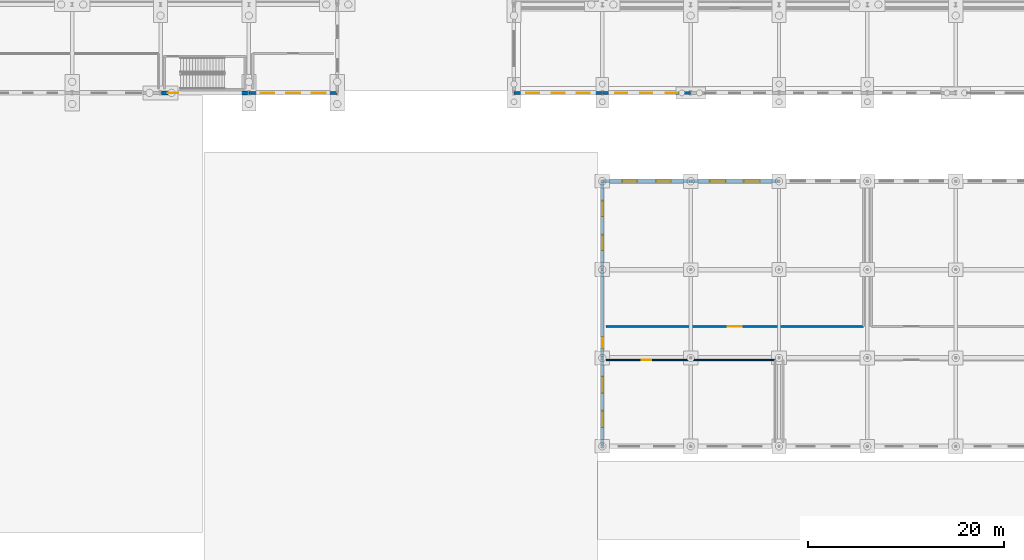
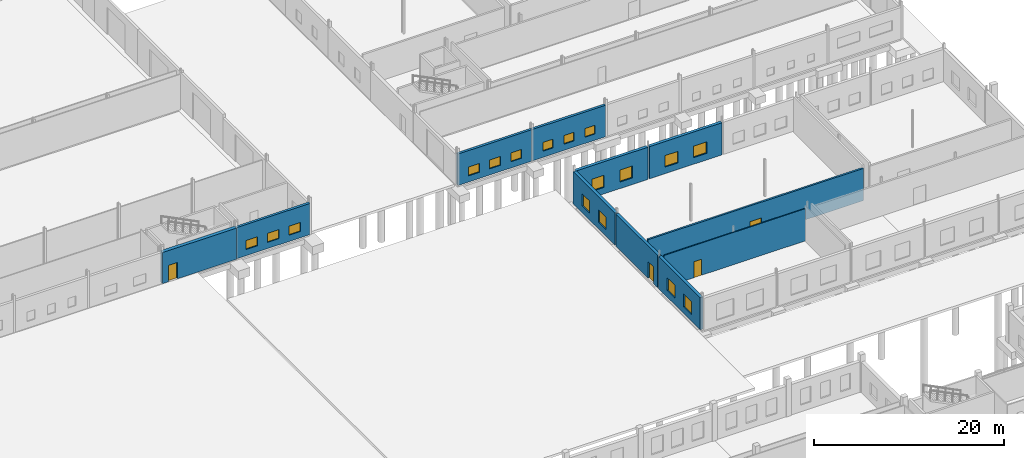
# One storey, part 79 of 112: 17 windows, 11 walls, 4 doors, 21 openings.
"""IFC4 building model written with IfcOpenShell, lengths in metres."""

from ifc_helpers import new_model, si_unit, direction, frame, frame_2d, origin, place, context, subcontext, project, spatial, rectangle, extrude, material, layer, layer_set, type_object, element, fill, save


model = new_model("IFC4")

# Units and contexts
model_context = context("Model", 3, precision=1e-05, world=origin(), true_north=direction((0.0, 1.0)))
body_context = subcontext(model_context, "Body", "Model", "MODEL_VIEW")
ifc_project = project(units=[si_unit("LENGTHUNIT", "METRE"), si_unit("AREAUNIT", "SQUARE_METRE"), si_unit("VOLUMEUNIT", "CUBIC_METRE"), si_unit("PLANEANGLEUNIT", "RADIAN"), si_unit("MASSUNIT", "GRAM", prefix="KILO")], contexts=[model_context])

# Site, building, storey
site_placement = place(None, origin())
site = spatial("IfcSite", under=ifc_project, at=site_placement, CompositionType="ELEMENT")
building_placement = place(site_placement, origin())
building = spatial("IfcBuilding", under=site, at=building_placement, Name="Tharagai Park Tramway Depot", CompositionType="ELEMENT")
storey_placement = place(building_placement, origin())
storey = spatial("IfcBuildingStorey", under=building, at=storey_placement, Name="L00", CompositionType="ELEMENT", Elevation=0.0)

# Wall, openings, windows
ifc_material_1 = material(Name="Concrete M35", Category="concrete")
ifc_layer_1 = layer(ifc_material_1, 0.360107421875)
ifc_layer_set_1 = layer_set([ifc_layer_1], Name="Concrete M35")
wall_type_1 = type_object("IfcWallType", Name="EW-03", PredefinedType="SOLIDWALL", material=ifc_layer_set_1)
wall_1_placement = place(storey_placement, frame((171.131103515625, 81.0, 0.0), z_axis=(0.0, 0.0, 1.0), x_axis=(1.0, 0.0, 0.0)))
wall_1 = element("IfcWall", 1, at=wall_1_placement, inside=storey, type_object=wall_type_1, Name="L00 V6 Exterior Masonry Wall EW-03", PredefinedType="SOLIDWALL", context=body_context, shape_type="SweptSolid", body=[
    extrude(rectangle(XDim=8.77294921875, YDim=0.360107421875, at=frame_2d((4.386474609375, 0.0))), origin(), (0.0, 0.0, 1.0), 4.14208984375),
])
opening_1_placement = place(wall_1_placement, frame((1.924072265625, 0.0, 0.85009765625)))
opening_1 = element("IfcOpeningElement", 2, at=opening_1_placement, cuts=wall_1, Name="Opening WN-20", PredefinedType="OPENING", context=body_context, shape_type="SweptSolid", body=[
    extrude(rectangle(XDim=1.5, YDim=1.550048828125, at=frame_2d((0.75, 0.77490234375))), frame((0.0, 0.18994140625, 0.0), z_axis=(0.0, -1.0, 0.0), x_axis=(1.0, 0.0, 0.0)), (0.0, 0.0, 1.0), 0.380126953125),
])
opening_2_placement = place(wall_1_placement, frame((5.34912109375, 0.0, 0.85009765625)))
opening_2 = element("IfcOpeningElement", 3, at=opening_2_placement, cuts=wall_1, Name="Opening WN-20", PredefinedType="OPENING", context=body_context, shape_type="SweptSolid", body=[
    extrude(rectangle(XDim=1.5, YDim=1.550048828125, at=frame_2d((0.75, 0.77490234375))), frame((0.0, 0.18994140625, 0.0), z_axis=(0.0, -1.0, 0.0), x_axis=(1.0, 0.0, 0.0)), (0.0, 0.0, 1.0), 0.380126953125),
])
ifc_material_2 = material(Name="Laminated solar-control glass", Category="glass")
window_type_1 = type_object("IfcWindowType", Name="WN-20", PartitioningType="SINGLE_PANEL", PredefinedType="WINDOW", material=ifc_material_2)
window_1_placement = place(opening_1_placement, origin())
window_1 = element("IfcWindow", 4, at=window_1_placement, inside=storey, type_object=window_type_1, Name="L00 V6 Gothic Lancet Window WN-20", OverallHeight=1.550048828125, OverallWidth=1.5, PartitioningType="SINGLE_PANEL", PredefinedType="WINDOW", context=body_context, shape_type="SweptSolid", body=[
    extrude(rectangle(XDim=1.5, YDim=1.550048828125, at=frame_2d((0.75, 0.77490234375))), frame((0.0, 0.030029296875, 0.0), z_axis=(0.0, -1.0, 0.0), x_axis=(1.0, 0.0, 0.0)), (0.0, 0.0, 1.0), 0.06005859375),
])
fill(opening_1, window_1)
window_2_placement = place(opening_2_placement, origin())
window_2 = element("IfcWindow", 5, at=window_2_placement, inside=storey, type_object=window_type_1, Name="L00 V6 Gothic Lancet Window WN-20", OverallHeight=1.550048828125, OverallWidth=1.5, PartitioningType="SINGLE_PANEL", PredefinedType="WINDOW", context=body_context, shape_type="SweptSolid", body=[
    extrude(rectangle(XDim=1.5, YDim=1.550048828125, at=frame_2d((0.75, 0.77490234375))), frame((0.0, 0.030029296875, 0.0), z_axis=(0.0, -1.0, 0.0), x_axis=(1.0, 0.0, 0.0)), (0.0, 0.0, 1.0), 0.06005859375),
])
fill(opening_2, window_2)

wall_2_placement = place(storey_placement, frame((180.095947265625, 81.0, 0.0), z_axis=(0.0, 0.0, 1.0), x_axis=(1.0, 0.0, 0.0)))
wall_2 = element("IfcWall", 6, at=wall_2_placement, inside=storey, type_object=wall_type_1, Name="L00 V6 Exterior Masonry Wall EW-03", PredefinedType="SOLIDWALL", context=body_context, shape_type="SweptSolid", body=[
    extrude(rectangle(XDim=8.80810546875, YDim=0.360107421875, at=frame_2d((4.404052734375, 0.0))), origin(), (0.0, 0.0, 1.0), 4.14208984375),
])
opening_3_placement = place(wall_2_placement, frame((1.85595703125, 0.0, 0.85009765625)))
opening_3 = element("IfcOpeningElement", 7, at=opening_3_placement, cuts=wall_2, Name="Opening WN-22", PredefinedType="OPENING", context=body_context, shape_type="SweptSolid", body=[
    extrude(rectangle(XDim=1.6201171875, YDim=1.47998046875, at=frame_2d((0.81005859375, 0.739990234375))), frame((0.0, 0.18994140625, 0.0), z_axis=(0.0, -1.0, 0.0), x_axis=(1.0, 0.0, 0.0)), (0.0, 0.0, 1.0), 0.380126953125),
])
opening_4_placement = place(wall_2_placement, frame((5.33203125, 0.0, 0.85009765625)))
opening_4 = element("IfcOpeningElement", 8, at=opening_4_placement, cuts=wall_2, Name="Opening WN-22", PredefinedType="OPENING", context=body_context, shape_type="SweptSolid", body=[
    extrude(rectangle(XDim=1.6201171875, YDim=1.47998046875, at=frame_2d((0.81005859375, 0.739990234375))), frame((0.0, 0.18994140625, 0.0), z_axis=(0.0, -1.0, 0.0), x_axis=(1.0, 0.0, 0.0)), (0.0, 0.0, 1.0), 0.380126953125),
])
window_type_2 = type_object("IfcWindowType", Name="WN-22", PartitioningType="SINGLE_PANEL", PredefinedType="WINDOW", material=ifc_material_2)
window_3_placement = place(opening_3_placement, origin())
window_3 = element("IfcWindow", 9, at=window_3_placement, inside=storey, type_object=window_type_2, Name="L00 V6 Gothic Lancet Window WN-22", OverallHeight=1.47998046875, OverallWidth=1.6201171875, PartitioningType="SINGLE_PANEL", PredefinedType="WINDOW", context=body_context, shape_type="SweptSolid", body=[
    extrude(rectangle(XDim=1.6201171875, YDim=1.47998046875, at=frame_2d((0.81005859375, 0.739990234375))), frame((0.0, 0.030029296875, 0.0), z_axis=(0.0, -1.0, 0.0), x_axis=(1.0, 0.0, 0.0)), (0.0, 0.0, 1.0), 0.06005859375),
])
fill(opening_3, window_3)
window_4_placement = place(opening_4_placement, origin())
window_4 = element("IfcWindow", 10, at=window_4_placement, inside=storey, type_object=window_type_2, Name="L00 V6 Gothic Lancet Window WN-22", OverallHeight=1.47998046875, OverallWidth=1.6201171875, PartitioningType="SINGLE_PANEL", PredefinedType="WINDOW", context=body_context, shape_type="SweptSolid", body=[
    extrude(rectangle(XDim=1.6201171875, YDim=1.47998046875, at=frame_2d((0.81005859375, 0.739990234375))), frame((0.0, 0.030029296875, 0.0), z_axis=(0.0, -1.0, 0.0), x_axis=(1.0, 0.0, 0.0)), (0.0, 0.0, 1.0), 0.06005859375),
])
fill(opening_4, window_4)

wall_3_placement = place(storey_placement, frame((171.0, 54.131103515625, 0.0), z_axis=(0.0, 0.0, 1.0), x_axis=(0.0, 1.0, 0.0)))
wall_3 = element("IfcWall", 11, at=wall_3_placement, inside=storey, type_object=wall_type_1, Name="L00 V6 Exterior Masonry Wall EW-03", PredefinedType="SOLIDWALL", context=body_context, shape_type="SweptSolid", body=[
    extrude(rectangle(XDim=8.762939453125, YDim=0.360107421875, at=frame_2d((4.38134765625, 0.0))), origin(), (0.0, 0.0, 1.0), 4.14208984375),
])
opening_5_placement = place(wall_3_placement, frame((1.801025390625, 0.0, 0.85009765625)))
opening_5 = element("IfcOpeningElement", 12, at=opening_5_placement, cuts=wall_3, Name="Opening WN-38", PredefinedType="OPENING", context=body_context, shape_type="SweptSolid", body=[
    extrude(rectangle(XDim=1.679931640625, YDim=1.659912109375, at=frame_2d((0.83984375, 0.830078125))), frame((0.0, 0.18994140625, 0.0), z_axis=(0.0, -1.0, 0.0), x_axis=(1.0, 0.0, 0.0)), (0.0, 0.0, 1.0), 0.380126953125),
])
opening_6_placement = place(wall_3_placement, frame((5.281982421875, 0.0, 0.85009765625)))
opening_6 = element("IfcOpeningElement", 13, at=opening_6_placement, cuts=wall_3, Name="Opening WN-38", PredefinedType="OPENING", context=body_context, shape_type="SweptSolid", body=[
    extrude(rectangle(XDim=1.679931640625, YDim=1.659912109375, at=frame_2d((0.83984375, 0.830078125))), frame((0.0, 0.18994140625, 0.0), z_axis=(0.0, -1.0, 0.0), x_axis=(1.0, 0.0, 0.0)), (0.0, 0.0, 1.0), 0.380126953125),
])
window_type_3 = type_object("IfcWindowType", Name="WN-38", PartitioningType="SINGLE_PANEL", PredefinedType="WINDOW", material=ifc_material_2)
window_5_placement = place(opening_5_placement, origin())
window_5 = element("IfcWindow", 14, at=window_5_placement, inside=storey, type_object=window_type_3, Name="L00 V6 Side Lancet Window WN-38", OverallHeight=1.659912109375, OverallWidth=1.679931640625, PartitioningType="SINGLE_PANEL", PredefinedType="WINDOW", context=body_context, shape_type="SweptSolid", body=[
    extrude(rectangle(XDim=1.679931640625, YDim=1.659912109375, at=frame_2d((0.83984375, 0.830078125))), frame((0.0, 0.030029296875, 0.0), z_axis=(0.0, -1.0, 0.0), x_axis=(1.0, 0.0, 0.0)), (0.0, 0.0, 1.0), 0.06005859375),
])
fill(opening_5, window_5)
window_6_placement = place(opening_6_placement, origin())
window_6 = element("IfcWindow", 15, at=window_6_placement, inside=storey, type_object=window_type_3, Name="L00 V6 Side Lancet Window WN-38", OverallHeight=1.659912109375, OverallWidth=1.679931640625, PartitioningType="SINGLE_PANEL", PredefinedType="WINDOW", context=body_context, shape_type="SweptSolid", body=[
    extrude(rectangle(XDim=1.679931640625, YDim=1.659912109375, at=frame_2d((0.83984375, 0.830078125))), frame((0.0, 0.030029296875, 0.0), z_axis=(0.0, -1.0, 0.0), x_axis=(1.0, 0.0, 0.0)), (0.0, 0.0, 1.0), 0.06005859375),
])
fill(opening_6, window_6)

# Wall, opening, door
wall_4_placement = place(storey_placement, frame((171.0, 63.10595703125, 0.0), z_axis=(0.0, 0.0, 1.0), x_axis=(0.0, 1.0, 0.0)))
wall_4 = element("IfcWall", 16, at=wall_4_placement, inside=storey, type_object=wall_type_1, Name="L00 V6 Exterior Masonry Wall EW-03", PredefinedType="SOLIDWALL", context=body_context, shape_type="SweptSolid", body=[
    extrude(rectangle(XDim=8.798095703125, YDim=0.360107421875, at=frame_2d((4.39892578125, 0.0))), origin(), (0.0, 0.0, 1.0), 4.14208984375),
])
opening_7_placement = place(wall_4_placement, frame((0.884033203125, 0.0, 0.0)))
opening_7 = element("IfcOpeningElement", 17, at=opening_7_placement, cuts=wall_4, Name="Opening ED-08", PredefinedType="OPENING", context=body_context, shape_type="SweptSolid", body=[
    extrude(rectangle(XDim=1.1201171875, YDim=2.139892578125, at=frame_2d((0.56005859375, 1.06982421875))), frame((0.0, 0.18994140625, 0.0), z_axis=(0.0, -1.0, 0.0), x_axis=(1.0, 0.0, 0.0)), (0.0, 0.0, 1.0), 0.380126953125),
])
ifc_material_3 = material(Name="Anodised aluminium", Category="aluminium")
door_type_1 = type_object("IfcDoorType", Name="ED-08", OperationType="NOTDEFINED", PredefinedType="DOOR", material=ifc_material_3)
door_1_placement = place(opening_7_placement, origin())
door_1 = element("IfcDoor", 18, at=door_1_placement, inside=storey, type_object=door_type_1, Name="Substation Exit Door", OperationType="SINGLE_SWING_LEFT", OverallHeight=2.139892578125, OverallWidth=1.1201171875, PredefinedType="DOOR", context=body_context, shape_type="SweptSolid", body=[
    extrude(rectangle(XDim=1.1201171875, YDim=2.139892578125, at=frame_2d((0.56005859375, 1.06982421875))), frame((0.0, 0.02490234375, 0.0), z_axis=(0.0, -1.0, 0.0), x_axis=(1.0, 0.0, 0.0)), (0.0, 0.0, 1.0), 0.050048828125),
])
fill(opening_7, door_1)

# Wall, openings, windows
wall_5_placement = place(storey_placement, frame((171.0, 72.095947265625, 0.0), z_axis=(0.0, 0.0, 1.0), x_axis=(0.0, 1.0, 0.0)))
wall_5 = element("IfcWall", 19, at=wall_5_placement, inside=storey, type_object=wall_type_1, Name="L00 V6 Exterior Masonry Wall EW-03", PredefinedType="SOLIDWALL", context=body_context, shape_type="SweptSolid", body=[
    extrude(rectangle(XDim=8.77294921875, YDim=0.360107421875, at=frame_2d((4.386474609375, 0.0))), origin(), (0.0, 0.0, 1.0), 4.14208984375),
])
opening_8_placement = place(wall_5_placement, frame((1.87109375, 0.0, 0.85009765625)))
opening_8 = element("IfcOpeningElement", 20, at=opening_8_placement, cuts=wall_5, Name="Opening WN-33", PredefinedType="OPENING", context=body_context, shape_type="SweptSolid", body=[
    extrude(rectangle(XDim=1.580078125, YDim=1.60009765625, at=frame_2d((0.7900390625, 0.800048828125))), frame((0.0, 0.18994140625, 0.0), z_axis=(0.0, -1.0, 0.0), x_axis=(1.0, 0.0, 0.0)), (0.0, 0.0, 1.0), 0.380126953125),
])
opening_9_placement = place(wall_5_placement, frame((5.322021484375, 0.0, 0.85009765625)))
opening_9 = element("IfcOpeningElement", 21, at=opening_9_placement, cuts=wall_5, Name="Opening WN-33", PredefinedType="OPENING", context=body_context, shape_type="SweptSolid", body=[
    extrude(rectangle(XDim=1.580078125, YDim=1.60009765625, at=frame_2d((0.7900390625, 0.800048828125))), frame((0.0, 0.18994140625, 0.0), z_axis=(0.0, -1.0, 0.0), x_axis=(1.0, 0.0, 0.0)), (0.0, 0.0, 1.0), 0.380126953125),
])
window_type_4 = type_object("IfcWindowType", Name="WN-33", PartitioningType="SINGLE_PANEL", PredefinedType="WINDOW", material=ifc_material_2)
window_7_placement = place(opening_8_placement, origin())
window_7 = element("IfcWindow", 22, at=window_7_placement, inside=storey, type_object=window_type_4, Name="L00 V6 Side Lancet Window WN-33", OverallHeight=1.60009765625, OverallWidth=1.580078125, PartitioningType="SINGLE_PANEL", PredefinedType="WINDOW", context=body_context, shape_type="SweptSolid", body=[
    extrude(rectangle(XDim=1.580078125, YDim=1.60009765625, at=frame_2d((0.7900390625, 0.800048828125))), frame((0.0, 0.030029296875, 0.0), z_axis=(0.0, -1.0, 0.0), x_axis=(1.0, 0.0, 0.0)), (0.0, 0.0, 1.0), 0.06005859375),
])
fill(opening_8, window_7)
window_8_placement = place(opening_9_placement, origin())
window_8 = element("IfcWindow", 23, at=window_8_placement, inside=storey, type_object=window_type_4, Name="L00 V6 Side Lancet Window WN-33", OverallHeight=1.60009765625, OverallWidth=1.580078125, PartitioningType="SINGLE_PANEL", PredefinedType="WINDOW", context=body_context, shape_type="SweptSolid", body=[
    extrude(rectangle(XDim=1.580078125, YDim=1.60009765625, at=frame_2d((0.7900390625, 0.800048828125))), frame((0.0, 0.030029296875, 0.0), z_axis=(0.0, -1.0, 0.0), x_axis=(1.0, 0.0, 0.0)), (0.0, 0.0, 1.0), 0.06005859375),
])
fill(opening_9, window_8)

# Wall, opening, door
ifc_material_4 = material(Name="Charnockite stone", Category="masonry")
ifc_layer_2 = layer(ifc_material_4, 0.419921875)
ifc_layer_set_2 = layer_set([ifc_layer_2], Name="Charnockite stone")
wall_type_2 = type_object("IfcWallType", Name="EW-07", PredefinedType="SOLIDWALL", material=ifc_layer_set_2)
wall_6_placement = place(storey_placement, frame((126.00390625, 90.0, 0.0), z_axis=(0.0, 0.0, 1.0), x_axis=(1.0, 0.0, 0.0)))
wall_6 = element("IfcWall", 24, at=wall_6_placement, inside=storey, type_object=wall_type_2, Name="L00 V1 Exterior Masonry Wall EW-07", PredefinedType="SOLIDWALL", context=body_context, shape_type="SweptSolid", body=[
    extrude(rectangle(XDim=8.9921875, YDim=0.419921875, at=frame_2d((4.49609375, 0.0))), origin(), (0.0, 0.0, 1.0), 4.011962890625),
])
opening_10_placement = place(wall_6_placement, frame((0.74609375, 0.0, 0.0)))
opening_10 = element("IfcOpeningElement", 25, at=opening_10_placement, cuts=wall_6, Name="Opening ED-05", PredefinedType="OPENING", context=body_context, shape_type="SweptSolid", body=[
    extrude(rectangle(XDim=1.06005859375, YDim=2.10009765625, at=frame_2d((0.530029296875, 1.050048828125))), frame((0.0, 0.219970703125, 0.0), z_axis=(0.0, -1.0, 0.0), x_axis=(1.0, 0.0, 0.0)), (0.0, 0.0, 1.0), 0.43994140625),
])
door_type_2 = type_object("IfcDoorType", Name="ED-05", OperationType="NOTDEFINED", PredefinedType="DOOR", material=ifc_material_3)
door_2_placement = place(opening_10_placement, frame((1.06005859375, 0.0, 0.0), z_axis=(0.0, 0.0, 1.0), x_axis=(-1.0, 0.0, 0.0)))
door_2 = element("IfcDoor", 26, at=door_2_placement, inside=storey, type_object=door_type_2, Name="Core C11 Final Exit Door", OperationType="SINGLE_SWING_LEFT", OverallHeight=2.10009765625, OverallWidth=1.06005859375, PredefinedType="DOOR", context=body_context, shape_type="SweptSolid", body=[
    extrude(rectangle(XDim=1.06005859375, YDim=2.10009765625, at=frame_2d((0.530029296875, 1.050048828125))), frame((0.0, 0.02490234375, 0.0), z_axis=(0.0, -1.0, 0.0), x_axis=(1.0, 0.0, 0.0)), (0.0, 0.0, 1.0), 0.050048828125),
])
fill(opening_10, door_2)

# Wall, openings, windows
ifc_material_5 = material(Name="Pressed clay brick", Category="masonry")
ifc_layer_3 = layer(ifc_material_5, 0.300048828125)
ifc_layer_set_3 = layer_set([ifc_layer_3], Name="Pressed clay brick")
wall_type_3 = type_object("IfcWallType", Name="EW-08", PredefinedType="SOLIDWALL", material=ifc_layer_set_3)
wall_7_placement = place(storey_placement, frame((135.00390625, 90.0, 0.0), z_axis=(0.0, 0.0, 1.0), x_axis=(1.0, 0.0, 0.0)))
wall_7 = element("IfcWall", 27, at=wall_7_placement, inside=storey, type_object=wall_type_3, Name="L00 V1 Exterior Masonry Wall EW-08", PredefinedType="SOLIDWALL", context=body_context, shape_type="SweptSolid", body=[
    extrude(rectangle(XDim=8.9921875, YDim=0.300048828125, at=frame_2d((4.49609375, 0.0))), origin(), (0.0, 0.0, 1.0), 4.011962890625),
])
opening_11_placement = place(wall_7_placement, frame((1.18310546875, 0.0, 0.800048828125)))
opening_11 = element("IfcOpeningElement", 28, at=opening_11_placement, cuts=wall_7, Name="Opening WN-16", PredefinedType="OPENING", context=body_context, shape_type="SweptSolid", body=[
    extrude(rectangle(XDim=1.419921875, YDim=1.159912109375, at=frame_2d((0.7099609375, 0.580078125))), frame((0.0, 0.159912109375, 0.0), z_axis=(0.0, -1.0, 0.0), x_axis=(1.0, 0.0, 0.0)), (0.0, 0.0, 1.0), 0.320068359375),
])
opening_12_placement = place(wall_7_placement, frame((3.785888671875, 0.0, 0.800048828125)))
opening_12 = element("IfcOpeningElement", 29, at=opening_12_placement, cuts=wall_7, Name="Opening WN-16", PredefinedType="OPENING", context=body_context, shape_type="SweptSolid", body=[
    extrude(rectangle(XDim=1.419921875, YDim=1.159912109375, at=frame_2d((0.7099609375, 0.580078125))), frame((0.0, 0.159912109375, 0.0), z_axis=(0.0, -1.0, 0.0), x_axis=(1.0, 0.0, 0.0)), (0.0, 0.0, 1.0), 0.320068359375),
])
opening_13_placement = place(wall_7_placement, frame((6.388916015625, 0.0, 0.800048828125)))
opening_13 = element("IfcOpeningElement", 30, at=opening_13_placement, cuts=wall_7, Name="Opening WN-16", PredefinedType="OPENING", context=body_context, shape_type="SweptSolid", body=[
    extrude(rectangle(XDim=1.419921875, YDim=1.159912109375, at=frame_2d((0.7099609375, 0.580078125))), frame((0.0, 0.159912109375, 0.0), z_axis=(0.0, -1.0, 0.0), x_axis=(1.0, 0.0, 0.0)), (0.0, 0.0, 1.0), 0.320068359375),
])
window_type_5 = type_object("IfcWindowType", Name="WN-16", PartitioningType="SINGLE_PANEL", PredefinedType="WINDOW", material=ifc_material_2)
window_9_placement = place(opening_11_placement, origin())
window_9 = element("IfcWindow", 31, at=window_9_placement, inside=storey, type_object=window_type_5, Name="L00 V1 Gothic Lancet Window WN-16", OverallHeight=1.159912109375, OverallWidth=1.419921875, PartitioningType="SINGLE_PANEL", PredefinedType="WINDOW", context=body_context, shape_type="SweptSolid", body=[
    extrude(rectangle(XDim=1.419921875, YDim=1.159912109375, at=frame_2d((0.7099609375, 0.580078125))), frame((0.0, 0.030029296875, 0.0), z_axis=(0.0, -1.0, 0.0), x_axis=(1.0, 0.0, 0.0)), (0.0, 0.0, 1.0), 0.06005859375),
])
fill(opening_11, window_9)
window_10_placement = place(opening_12_placement, origin())
window_10 = element("IfcWindow", 32, at=window_10_placement, inside=storey, type_object=window_type_5, Name="L00 V1 Gothic Lancet Window WN-16", OverallHeight=1.159912109375, OverallWidth=1.419921875, PartitioningType="SINGLE_PANEL", PredefinedType="WINDOW", context=body_context, shape_type="SweptSolid", body=[
    extrude(rectangle(XDim=1.419921875, YDim=1.159912109375, at=frame_2d((0.7099609375, 0.580078125))), frame((0.0, 0.030029296875, 0.0), z_axis=(0.0, -1.0, 0.0), x_axis=(1.0, 0.0, 0.0)), (0.0, 0.0, 1.0), 0.06005859375),
])
fill(opening_12, window_10)
window_11_placement = place(opening_13_placement, origin())
window_11 = element("IfcWindow", 33, at=window_11_placement, inside=storey, type_object=window_type_5, Name="L00 V1 Gothic Lancet Window WN-16", OverallHeight=1.159912109375, OverallWidth=1.419921875, PartitioningType="SINGLE_PANEL", PredefinedType="WINDOW", context=body_context, shape_type="SweptSolid", body=[
    extrude(rectangle(XDim=1.419921875, YDim=1.159912109375, at=frame_2d((0.7099609375, 0.580078125))), frame((0.0, 0.030029296875, 0.0), z_axis=(0.0, -1.0, 0.0), x_axis=(1.0, 0.0, 0.0)), (0.0, 0.0, 1.0), 0.06005859375),
])
fill(opening_13, window_11)

wall_8_placement = place(storey_placement, frame((162.00390625, 90.0, 0.0), z_axis=(0.0, 0.0, 1.0), x_axis=(1.0, 0.0, 0.0)))
wall_8 = element("IfcWall", 34, at=wall_8_placement, inside=storey, type_object=wall_type_3, Name="L00 V3 Exterior Masonry Wall EW-08", PredefinedType="SOLIDWALL", context=body_context, shape_type="SweptSolid", body=[
    extrude(rectangle(XDim=8.9921875, YDim=0.300048828125, at=frame_2d((4.49609375, 0.0))), origin(), (0.0, 0.0, 1.0), 4.0419921875),
])
opening_14_placement = place(wall_8_placement, frame((1.258056640625, 0.0, 0.800048828125)))
opening_14 = element("IfcOpeningElement", 35, at=opening_14_placement, cuts=wall_8, Name="Opening WN-47", PredefinedType="OPENING", context=body_context, shape_type="SweptSolid", body=[
    extrude(rectangle(XDim=1.320068359375, YDim=1.139892578125, at=frame_2d((0.66015625, 0.56982421875))), frame((0.0, 0.159912109375, 0.0), z_axis=(0.0, -1.0, 0.0), x_axis=(1.0, 0.0, 0.0)), (0.0, 0.0, 1.0), 0.320068359375),
])
opening_15_placement = place(wall_8_placement, frame((3.8359375, 0.0, 0.800048828125)))
opening_15 = element("IfcOpeningElement", 36, at=opening_15_placement, cuts=wall_8, Name="Opening WN-47", PredefinedType="OPENING", context=body_context, shape_type="SweptSolid", body=[
    extrude(rectangle(XDim=1.320068359375, YDim=1.139892578125, at=frame_2d((0.66015625, 0.56982421875))), frame((0.0, 0.159912109375, 0.0), z_axis=(0.0, -1.0, 0.0), x_axis=(1.0, 0.0, 0.0)), (0.0, 0.0, 1.0), 0.320068359375),
])
opening_16_placement = place(wall_8_placement, frame((6.4140625, 0.0, 0.800048828125)))
opening_16 = element("IfcOpeningElement", 37, at=opening_16_placement, cuts=wall_8, Name="Opening WN-47", PredefinedType="OPENING", context=body_context, shape_type="SweptSolid", body=[
    extrude(rectangle(XDim=1.320068359375, YDim=1.139892578125, at=frame_2d((0.66015625, 0.56982421875))), frame((0.0, 0.159912109375, 0.0), z_axis=(0.0, -1.0, 0.0), x_axis=(1.0, 0.0, 0.0)), (0.0, 0.0, 1.0), 0.320068359375),
])
window_type_6 = type_object("IfcWindowType", Name="WN-47", PartitioningType="SINGLE_PANEL", PredefinedType="WINDOW", material=ifc_material_2)
window_12_placement = place(opening_14_placement, origin())
window_12 = element("IfcWindow", 38, at=window_12_placement, inside=storey, type_object=window_type_6, Name="L00 V3 Gothic Lancet Window WN-47", OverallHeight=1.139892578125, OverallWidth=1.320068359375, PartitioningType="SINGLE_PANEL", PredefinedType="WINDOW", context=body_context, shape_type="SweptSolid", body=[
    extrude(rectangle(XDim=1.320068359375, YDim=1.139892578125, at=frame_2d((0.66015625, 0.56982421875))), frame((0.0, 0.030029296875, 0.0), z_axis=(0.0, -1.0, 0.0), x_axis=(1.0, 0.0, 0.0)), (0.0, 0.0, 1.0), 0.06005859375),
])
fill(opening_14, window_12)
window_13_placement = place(opening_15_placement, origin())
window_13 = element("IfcWindow", 39, at=window_13_placement, inside=storey, type_object=window_type_6, Name="L00 V3 Gothic Lancet Window WN-47", OverallHeight=1.139892578125, OverallWidth=1.320068359375, PartitioningType="SINGLE_PANEL", PredefinedType="WINDOW", context=body_context, shape_type="SweptSolid", body=[
    extrude(rectangle(XDim=1.320068359375, YDim=1.139892578125, at=frame_2d((0.66015625, 0.56982421875))), frame((0.0, 0.030029296875, 0.0), z_axis=(0.0, -1.0, 0.0), x_axis=(1.0, 0.0, 0.0)), (0.0, 0.0, 1.0), 0.06005859375),
])
fill(opening_15, window_13)
window_14_placement = place(opening_16_placement, origin())
window_14 = element("IfcWindow", 40, at=window_14_placement, inside=storey, type_object=window_type_6, Name="L00 V3 Gothic Lancet Window WN-47", OverallHeight=1.139892578125, OverallWidth=1.320068359375, PartitioningType="SINGLE_PANEL", PredefinedType="WINDOW", context=body_context, shape_type="SweptSolid", body=[
    extrude(rectangle(XDim=1.320068359375, YDim=1.139892578125, at=frame_2d((0.66015625, 0.56982421875))), frame((0.0, 0.030029296875, 0.0), z_axis=(0.0, -1.0, 0.0), x_axis=(1.0, 0.0, 0.0)), (0.0, 0.0, 1.0), 0.06005859375),
])
fill(opening_16, window_14)

wall_9_placement = place(storey_placement, frame((171.00390625, 90.0, 0.0), z_axis=(0.0, 0.0, 1.0), x_axis=(1.0, 0.0, 0.0)))
wall_9 = element("IfcWall", 41, at=wall_9_placement, inside=storey, type_object=wall_type_3, Name="L00 V3 Exterior Masonry Wall EW-08", PredefinedType="SOLIDWALL", context=body_context, shape_type="SweptSolid", body=[
    extrude(rectangle(XDim=8.9921875, YDim=0.300048828125, at=frame_2d((4.49609375, 0.0))), origin(), (0.0, 0.0, 1.0), 4.0419921875),
])
opening_17_placement = place(wall_9_placement, frame((1.3330078125, 0.0, 0.800048828125)))
opening_17 = element("IfcOpeningElement", 42, at=opening_17_placement, cuts=wall_9, Name="Opening WN-32", PredefinedType="OPENING", context=body_context, shape_type="SweptSolid", body=[
    extrude(rectangle(XDim=1.219970703125, YDim=1.1201171875, at=frame_2d((0.60986328125, 0.56005859375))), frame((0.0, 0.159912109375, 0.0), z_axis=(0.0, -1.0, 0.0), x_axis=(1.0, 0.0, 0.0)), (0.0, 0.0, 1.0), 0.320068359375),
])
opening_18_placement = place(wall_9_placement, frame((3.885986328125, 0.0, 0.800048828125)))
opening_18 = element("IfcOpeningElement", 43, at=opening_18_placement, cuts=wall_9, Name="Opening WN-32", PredefinedType="OPENING", context=body_context, shape_type="SweptSolid", body=[
    extrude(rectangle(XDim=1.219970703125, YDim=1.1201171875, at=frame_2d((0.60986328125, 0.56005859375))), frame((0.0, 0.159912109375, 0.0), z_axis=(0.0, -1.0, 0.0), x_axis=(1.0, 0.0, 0.0)), (0.0, 0.0, 1.0), 0.320068359375),
])
opening_19_placement = place(wall_9_placement, frame((6.43896484375, 0.0, 0.800048828125)))
opening_19 = element("IfcOpeningElement", 44, at=opening_19_placement, cuts=wall_9, Name="Opening WN-32", PredefinedType="OPENING", context=body_context, shape_type="SweptSolid", body=[
    extrude(rectangle(XDim=1.219970703125, YDim=1.1201171875, at=frame_2d((0.60986328125, 0.56005859375))), frame((0.0, 0.159912109375, 0.0), z_axis=(0.0, -1.0, 0.0), x_axis=(1.0, 0.0, 0.0)), (0.0, 0.0, 1.0), 0.320068359375),
])
window_type_7 = type_object("IfcWindowType", Name="WN-32", PartitioningType="SINGLE_PANEL", PredefinedType="WINDOW", material=ifc_material_2)
window_15_placement = place(opening_17_placement, origin())
window_15 = element("IfcWindow", 45, at=window_15_placement, inside=storey, type_object=window_type_7, Name="L00 V3 Gothic Lancet Window WN-32", OverallHeight=1.1201171875, OverallWidth=1.219970703125, PartitioningType="SINGLE_PANEL", PredefinedType="WINDOW", context=body_context, shape_type="SweptSolid", body=[
    extrude(rectangle(XDim=1.219970703125, YDim=1.1201171875, at=frame_2d((0.60986328125, 0.56005859375))), frame((0.0, 0.030029296875, 0.0), z_axis=(0.0, -1.0, 0.0), x_axis=(1.0, 0.0, 0.0)), (0.0, 0.0, 1.0), 0.06005859375),
])
fill(opening_17, window_15)
window_16_placement = place(opening_18_placement, origin())
window_16 = element("IfcWindow", 46, at=window_16_placement, inside=storey, type_object=window_type_7, Name="L00 V3 Gothic Lancet Window WN-32", OverallHeight=1.1201171875, OverallWidth=1.219970703125, PartitioningType="SINGLE_PANEL", PredefinedType="WINDOW", context=body_context, shape_type="SweptSolid", body=[
    extrude(rectangle(XDim=1.219970703125, YDim=1.1201171875, at=frame_2d((0.60986328125, 0.56005859375))), frame((0.0, 0.030029296875, 0.0), z_axis=(0.0, -1.0, 0.0), x_axis=(1.0, 0.0, 0.0)), (0.0, 0.0, 1.0), 0.06005859375),
])
fill(opening_18, window_16)
window_17_placement = place(opening_19_placement, origin())
window_17 = element("IfcWindow", 47, at=window_17_placement, inside=storey, type_object=window_type_7, Name="L00 V3 Gothic Lancet Window WN-32", OverallHeight=1.1201171875, OverallWidth=1.219970703125, PartitioningType="SINGLE_PANEL", PredefinedType="WINDOW", context=body_context, shape_type="SweptSolid", body=[
    extrude(rectangle(XDim=1.219970703125, YDim=1.1201171875, at=frame_2d((0.60986328125, 0.56005859375))), frame((0.0, 0.030029296875, 0.0), z_axis=(0.0, -1.0, 0.0), x_axis=(1.0, 0.0, 0.0)), (0.0, 0.0, 1.0), 0.06005859375),
])
fill(opening_19, window_17)

# Wall, opening, door
ifc_material_6 = material(Name="Gypsum board", Category="gypsum")
ifc_layer_4 = layer(ifc_material_6, 0.1201171875)
ifc_layer_set_4 = layer_set([ifc_layer_4], Name="Gypsum board")
wall_type_4 = type_object("IfcWallType", Name="IW-03", PredefinedType="PARTITIONING", material=ifc_layer_set_4)
wall_10_placement = place(storey_placement, frame((171.39990234375, 62.800048828125, 0.0), z_axis=(0.0, 0.0, 1.0), x_axis=(1.0, 0.0, 0.0)))
wall_10 = element("IfcWall", 48, at=wall_10_placement, inside=storey, type_object=wall_type_4, Name="Yard RFID Dispatch Gatehouse Partition North", PredefinedType="PARTITIONING", context=body_context, shape_type="SweptSolid", body=[
    extrude(rectangle(XDim=17.2001953125, YDim=0.1201171875, at=frame_2d((8.60009765625, 0.0))), origin(), (0.0, 0.0, 1.0), 4.14501953125),
])
opening_20_placement = place(wall_10_placement, frame((3.6298828125, 0.0, 0.0)))
opening_20 = element("IfcOpeningElement", 49, at=opening_20_placement, cuts=wall_10, Name="Opening ID-03", PredefinedType="OPENING", context=body_context, shape_type="SweptSolid", body=[
    extrude(rectangle(XDim=0.93994140625, YDim=2.06005859375, at=frame_2d((0.469970703125, 1.030029296875))), frame((0.0, 0.070068359375, 0.0), z_axis=(0.0, -1.0, 0.0), x_axis=(1.0, 0.0, 0.0)), (0.0, 0.0, 1.0), 0.14013671875),
])
ifc_material_7 = material(Name="Pressed timber", Category="wood")
door_type_3 = type_object("IfcDoorType", Name="ID-03", OperationType="NOTDEFINED", PredefinedType="DOOR", material=ifc_material_7)
door_3_placement = place(opening_20_placement, origin())
door_3 = element("IfcDoor", 50, at=door_3_placement, inside=storey, type_object=door_type_3, Name="Yard RFID Dispatch Gatehouse Door", OperationType="SINGLE_SWING_RIGHT", OverallHeight=2.06005859375, OverallWidth=0.93994140625, PredefinedType="DOOR", context=body_context, shape_type="SweptSolid", body=[
    extrude(rectangle(XDim=0.93994140625, YDim=2.06005859375, at=frame_2d((0.469970703125, 1.030029296875))), frame((0.0, 0.02490234375, 0.0), z_axis=(0.0, -1.0, 0.0), x_axis=(1.0, 0.0, 0.0)), (0.0, 0.0, 1.0), 0.050048828125),
])
fill(opening_20, door_3)

ifc_layer_5 = layer(ifc_material_5, 0.219970703125)
ifc_layer_set_5 = layer_set([ifc_layer_5], Name="Pressed clay brick")
wall_type_5 = type_object("IfcWallType", Name="IW-05", PredefinedType="SOLIDWALL", material=ifc_layer_set_5)
wall_11_placement = place(storey_placement, frame((171.39990234375, 66.199951171875, 0.0), z_axis=(0.0, 0.0, 1.0), x_axis=(1.0, 0.0, 0.0)))
wall_11 = element("IfcWall", 51, at=wall_11_placement, inside=storey, type_object=wall_type_5, Name="HV Switchgear and SCADA Relay Room Partition South", PredefinedType="SOLIDWALL", context=body_context, shape_type="SweptSolid", body=[
    extrude(rectangle(XDim=26.2001953125, YDim=0.219970703125, at=frame_2d((13.10009765625, 0.0))), origin(), (0.0, 0.0, 1.0), 4.14501953125),
])
opening_21_placement = place(wall_11_placement, frame((12.389892578125, 0.0, 0.0)))
opening_21 = element("IfcOpeningElement", 52, at=opening_21_placement, cuts=wall_11, Name="Opening ID-06", PredefinedType="OPENING", context=body_context, shape_type="SweptSolid", body=[
    extrude(rectangle(XDim=1.419921875, YDim=2.1201171875, at=frame_2d((0.7099609375, 1.06005859375))), frame((0.0, 0.119873046875, 0.0), z_axis=(0.0, -1.0, 0.0), x_axis=(1.0, 0.0, 0.0)), (0.0, 0.0, 1.0), 0.239990234375),
])
ifc_material_8 = material(Name="Galvanised steel", Category="steel")
door_type_4 = type_object("IfcDoorType", Name="ID-06", OperationType="DOUBLE_SWING_LEFT", PredefinedType="DOOR", material=ifc_material_8)
door_4_placement = place(opening_21_placement, frame((1.419921875, 0.0, 0.0), z_axis=(0.0, 0.0, 1.0), x_axis=(-1.0, 0.0, 0.0)))
door_4 = element("IfcDoor", 53, at=door_4_placement, inside=storey, type_object=door_type_4, Name="HV Switchgear and SCADA Relay Room Door", OperationType="DOUBLE_SWING_LEFT", OverallHeight=2.1201171875, OverallWidth=1.419921875, PredefinedType="DOOR", context=body_context, shape_type="SweptSolid", body=[
    extrude(rectangle(XDim=1.419921875, YDim=2.1201171875, at=frame_2d((0.7099609375, 1.06005859375))), frame((0.0, 0.02490234375, 0.0), z_axis=(0.0, -1.0, 0.0), x_axis=(1.0, 0.0, 0.0)), (0.0, 0.0, 1.0), 0.050048828125),
])
fill(opening_21, door_4)

save(model, "model.ifc")
